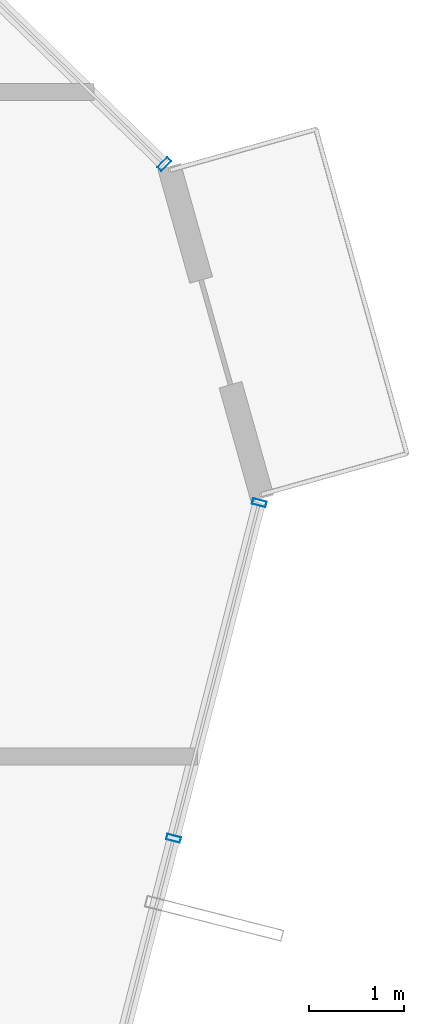
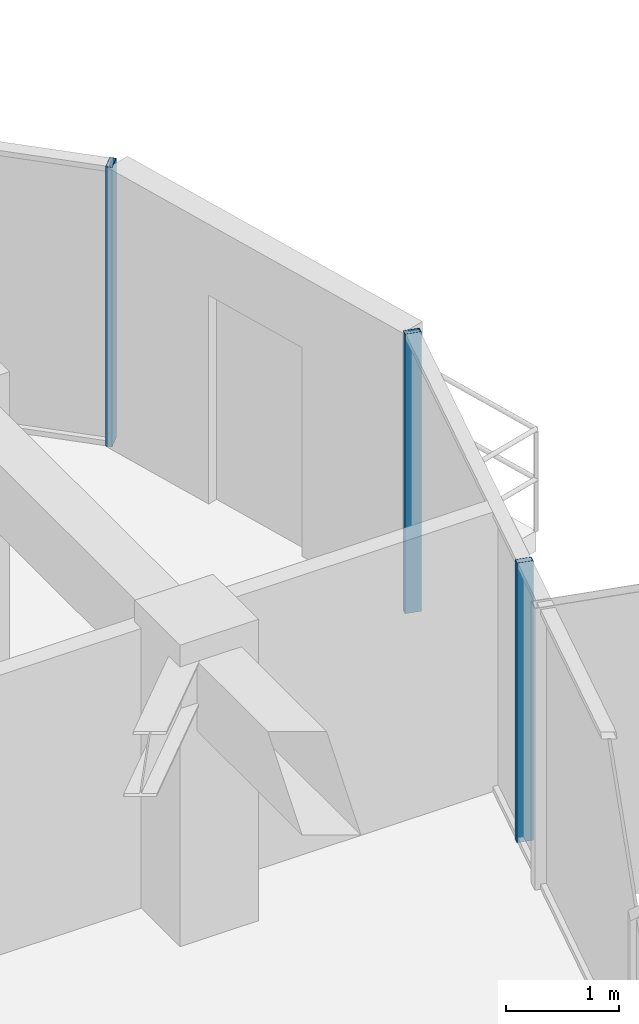
# One storey, part 20 of 29: 3 members, 2 elements without a shape of their own.
"""IFC4 building model written with IfcOpenShell, lengths in metres."""

from ifc_helpers import new_model, si_unit, direction, frame, origin, origin_2d, place, context, subcontext, project, spatial, hollow_rectangle, extrude, source, transform, mapped, material, layer, layer_set, material_profile, profile_set, type_object, element, aggregate, save


model = new_model("IFC4")

# Units and contexts
model_context = context("Model", 3, precision=1e-05, world=origin(), true_north=direction((0.0, 1.0)))
body_context = subcontext(model_context, "Body", "Model", "MODEL_VIEW")
ifc_project = project(units=[si_unit("LENGTHUNIT", "METRE"), si_unit("AREAUNIT", "SQUARE_METRE"), si_unit("VOLUMEUNIT", "CUBIC_METRE"), si_unit("PLANEANGLEUNIT", "RADIAN"), si_unit("MASSUNIT", "GRAM", prefix="KILO")], contexts=[model_context])

# Site, building, storey
site_placement = place(None, origin())
site = spatial("IfcSite", under=ifc_project, at=site_placement, CompositionType="ELEMENT")
building_placement = place(site_placement, origin())
building = spatial("IfcBuilding", under=site, at=building_placement, Name="Veraguas Prism Commons", CompositionType="ELEMENT")
storey_placement = place(building_placement, frame((0.0, 0.0, 257.75)))
storey = spatial("IfcBuildingStorey", under=building, at=storey_placement, Name="L73", CompositionType="ELEMENT", Elevation=257.75)

# Curtain wall, member
ifc_material = material(Name="Anodised aluminium EN AW-6063 T6", Category="aluminium")
ifc_layer = layer(ifc_material, 0.14990234375, Name="Unitised Flush Curtain Wall Zone 4", Category="aluminium")
ifc_layer_set = layer_set([ifc_layer], Name="Anodised aluminium EN AW-6063 T6")
curtain_wall_type = type_object("IfcCurtainWallType", Name="Unitised Flush Curtain Wall Zone 4", PredefinedType="NOTDEFINED", material=ifc_layer_set)
curtain_wall_1_placement = place(storey_placement, origin())
curtain_wall_1 = element("IfcCurtainWall", 1, at=curtain_wall_1_placement, inside=storey, type_object=curtain_wall_type, Name="Tower Facade Curtain Wall L73-F1", PredefinedType="NOTDEFINED")
ifc_material_profile = material_profile(ifc_material, hollow_rectangle(XDim=0.06005859375, YDim=0.14990234375, WallThickness=0.0029296875, at=origin_2d()), Name="AL60X150X3")
ifc_profile_set = profile_set([ifc_material_profile], Name="Anodised aluminium EN AW-6063 T6")
member_type = type_object("IfcMemberType", Name="Curtain Wall Mullion Upper AL 60x150x3", PredefinedType="MULLION", material=ifc_profile_set)
shared_shape = source(origin(), body_context, "Body", "SweptSolid", [
    extrude(hollow_rectangle(XDim=0.06005859375, YDim=0.14990234375, WallThickness=0.0029296875, at=origin_2d()), origin(), (0.0, 0.0, 1.0), 3.014892578125),
])
member_1_placement = place(storey_placement, frame((40.757080078125, 30.634765625, 0.0), z_axis=(0.0, 0.0, 1.0), x_axis=(-0.715447677779, 0.698666315462, 0.0)))
member_1 = element("IfcMember", 2, at=member_1_placement, type_object=member_type, Name="CW-Z4 Mullion 1", PredefinedType="MULLION", context=body_context, shape_type="MappedRepresentation", body=[
    mapped(shared_shape, transform((0.0, 0.0, 0.0), scale=1.0)),
])
aggregate(curtain_wall_1, [member_1])

# Curtain wall, members
curtain_wall_2_placement = place(storey_placement, origin())
curtain_wall_2 = element("IfcCurtainWall", 3, at=curtain_wall_2_placement, inside=storey, type_object=curtain_wall_type, Name="Tower Facade Curtain Wall L73-F6", PredefinedType="NOTDEFINED")
member_2_placement = place(storey_placement, frame((40.8564453125, 23.507080078125, 0.0), z_axis=(0.0, 0.0, 1.0), x_axis=(0.247338939069, 0.968929021766, 0.0)))
member_2 = element("IfcMember", 4, at=member_2_placement, type_object=member_type, Name="CW-Z4 Mullion 4", PredefinedType="MULLION", context=body_context, shape_type="MappedRepresentation", body=[
    mapped(shared_shape, transform((0.0, 0.0, 0.0), scale=1.0)),
])
member_3_placement = place(storey_placement, frame((41.761962890625, 27.054931640625, 0.0), z_axis=(0.0, 0.0, 1.0), x_axis=(0.247338939069, 0.968929021766, 0.0)))
member_3 = element("IfcMember", 5, at=member_3_placement, type_object=member_type, Name="CW-Z4 Mullion 5", PredefinedType="MULLION", context=body_context, shape_type="MappedRepresentation", body=[
    mapped(shared_shape, transform((0.0, 0.0, 0.0), scale=1.0)),
])
aggregate(curtain_wall_2, [member_2, member_3])

save(model, "model.ifc")
